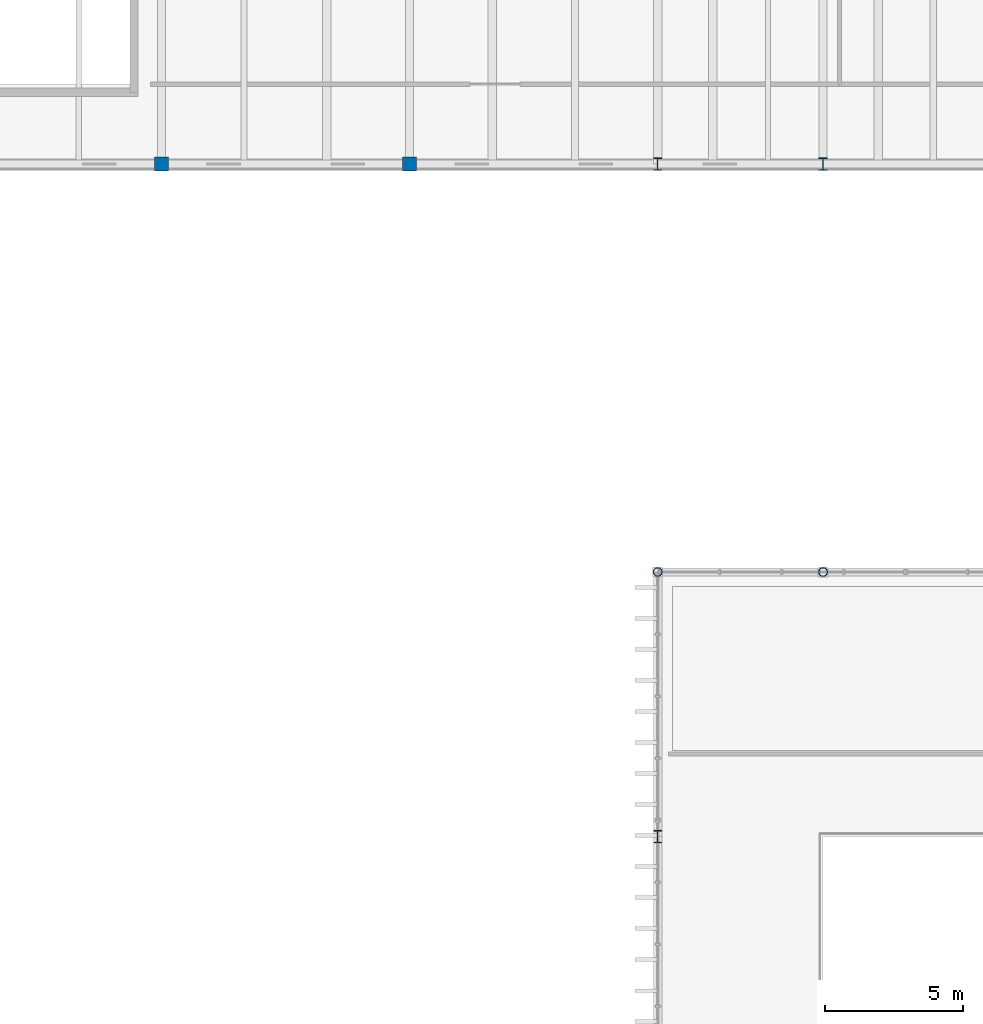
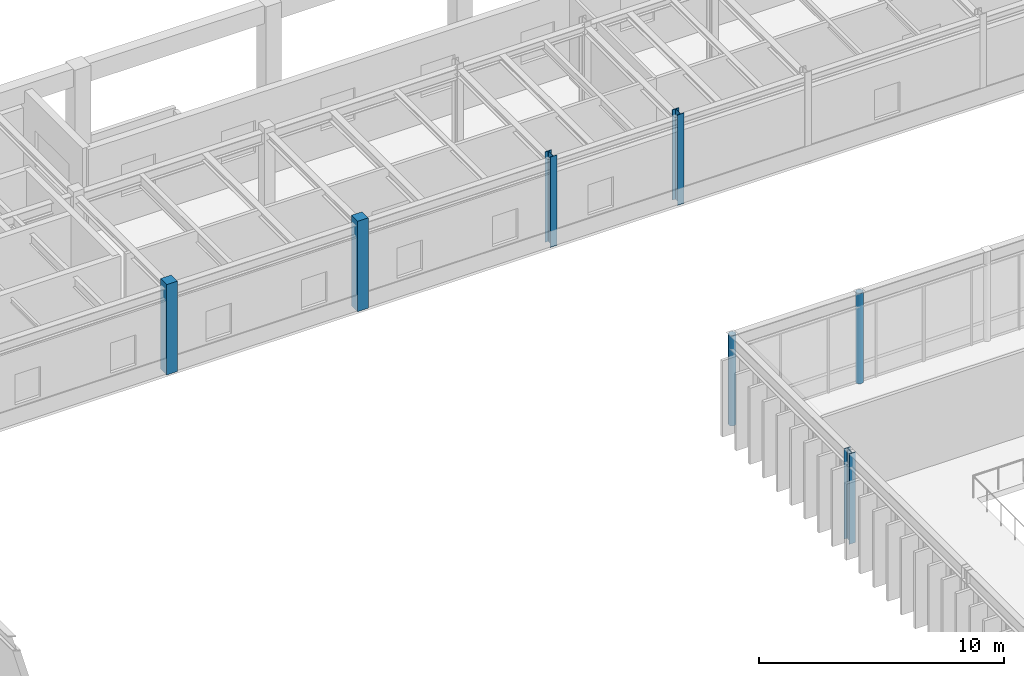
# One storey, part 9 of 64: 7 columns.
"""IFC4 building model written with IfcOpenShell, lengths in metres."""

from ifc_helpers import new_model, si_unit, direction, frame, origin, origin_2d, place, context, subcontext, project, spatial, rectangle, hollow_circle, i_section, extrude, material, material_profile, profile_set, type_object, element, save


model = new_model("IFC4")

# Units and contexts
model_context = context("Model", 3, precision=1e-05, world=origin(), true_north=direction((0.0, 1.0)))
body_context = subcontext(model_context, "Body", "Model", "MODEL_VIEW")
ifc_project = project(units=[si_unit("LENGTHUNIT", "METRE"), si_unit("AREAUNIT", "SQUARE_METRE"), si_unit("VOLUMEUNIT", "CUBIC_METRE"), si_unit("PLANEANGLEUNIT", "RADIAN"), si_unit("MASSUNIT", "GRAM", prefix="KILO")], contexts=[model_context])

# Site, building, storey
site_placement = place(None, origin())
site = spatial("IfcSite", under=ifc_project, at=site_placement, CompositionType="ELEMENT")
building_placement = place(site_placement, origin())
building = spatial("IfcBuilding", under=site, at=building_placement, Name="Montealbar Specialist Clinic", CompositionType="ELEMENT")
storey_placement = place(building_placement, frame((0.0, 0.0, 5.10009765625)))
storey = spatial("IfcBuildingStorey", under=building, at=storey_placement, Name="L01", CompositionType="ELEMENT", Elevation=5.10009765625)

# Columns
ifc_material_1 = material(Name="Steel S355", Category="steel")
ifc_material_profile_1 = material_profile(ifc_material_1, hollow_circle(Radius=0.161865234375, WallThickness=0.01611328125, at=origin_2d()), Name="CHS 323.9x16.0", Category="steel")
ifc_profile_set_1 = profile_set([ifc_material_profile_1], Name="Steel S355")
column_type_1 = type_object("IfcColumnType", Name="COL-CHS-HALL-EXT", PredefinedType="COLUMN", material=ifc_profile_set_1)
for number, where, z_axis, x_axis, name in (
    (1, (54.0, 81.0, 0.0), (0.0, 0.0, 1.0), (1.0, 0.0, 0.0), "Column 7/K L01"),
    (2, (60.0, 81.0, 0.0), (0.0, 0.0, 1.0), (1.0, 0.0, 0.0), "Column 8/K L01"),
):
    element("IfcColumn", number, at=place(storey_placement, frame(where, z_axis=z_axis, x_axis=x_axis)), inside=storey, type_object=column_type_1, Name=name, PredefinedType="COLUMN", context=body_context, shape_type="SweptSolid", body=[
        extrude(hollow_circle(Radius=0.161865234375, WallThickness=0.01611328125, at=origin_2d()), origin(), (0.0, 0.0, 1.0), 4.5),
    ])
ifc_material_2 = material(Name="Concrete C35/45", Category="concrete")
ifc_material_profile_2 = material_profile(ifc_material_2, rectangle(XDim=0.5, YDim=0.5, at=origin_2d()), Name="RC 500x500", Category="concrete")
ifc_profile_set_2 = profile_set([ifc_material_profile_2], Name="Concrete C35/45")
column_type_2 = type_object("IfcColumnType", Name="COL-RC-L01-EXT", PredefinedType="COLUMN", material=ifc_profile_set_2)
for number, where, z_axis, x_axis, name in (
    (3, (36.0, 95.800048828125, 0.0), (0.0, 0.0, 1.0), (1.0, 0.0, 0.0), "Column 5/M L01"),
    (4, (45.0, 95.800048828125, 0.0), (0.0, 0.0, 1.0), (1.0, 0.0, 0.0), "Column 6/M L01"),
):
    element("IfcColumn", number, at=place(storey_placement, frame(where, z_axis=z_axis, x_axis=x_axis)), inside=storey, type_object=column_type_2, Name=name, PredefinedType="COLUMN", context=body_context, shape_type="SweptSolid", body=[
        extrude(rectangle(XDim=0.5, YDim=0.5, at=origin_2d()), origin(), (0.0, 0.0, 1.0), 4.5),
    ])
ifc_material_profile_3 = material_profile(ifc_material_1, i_section(OverallWidth=0.300048828125, OverallDepth=0.449951171875, WebThickness=0.013916015625, FlangeThickness=0.02587890625, FilletRadius=0.027099609375, at=origin_2d()), Name="HEB 450", Category="steel")
ifc_profile_set_3 = profile_set([ifc_material_profile_3], Name="Steel S355")
column_type_3 = type_object("IfcColumnType", Name="COL-S-L01-STD-EXT", PredefinedType="COLUMN", material=ifc_profile_set_3)
for number, where, z_axis, x_axis, name in (
    (5, (54.0, 71.39990234375, 0.0), (0.0, 0.0, 1.0), (1.0, 0.0, 0.0), "Column 7/J L01"),
    (6, (54.0, 95.800048828125, 0.0), (0.0, 0.0, 1.0), (1.0, 0.0, 0.0), "Column 7/M L01"),
    (7, (60.0, 95.800048828125, 0.0), (0.0, 0.0, 1.0), (1.0, 0.0, 0.0), "Column 8/M L01"),
):
    element("IfcColumn", number, at=place(storey_placement, frame(where, z_axis=z_axis, x_axis=x_axis)), inside=storey, type_object=column_type_3, Name=name, PredefinedType="COLUMN", context=body_context, shape_type="SweptSolid", body=[
        extrude(i_section(OverallWidth=0.300048828125, OverallDepth=0.449951171875, WebThickness=0.013916015625, FlangeThickness=0.02587890625, FilletRadius=0.027099609375, at=origin_2d()), origin(), (0.0, 0.0, 1.0), 4.5),
    ])

save(model, "model.ifc")
